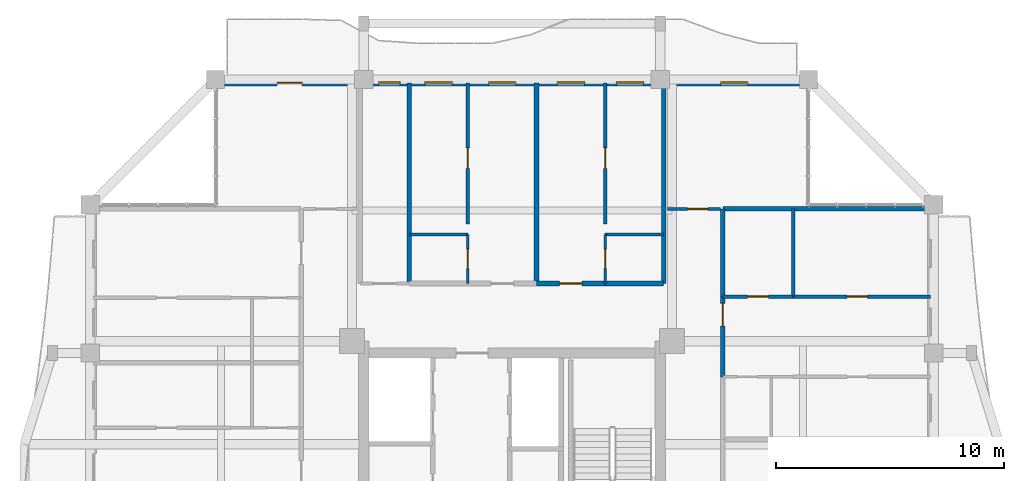
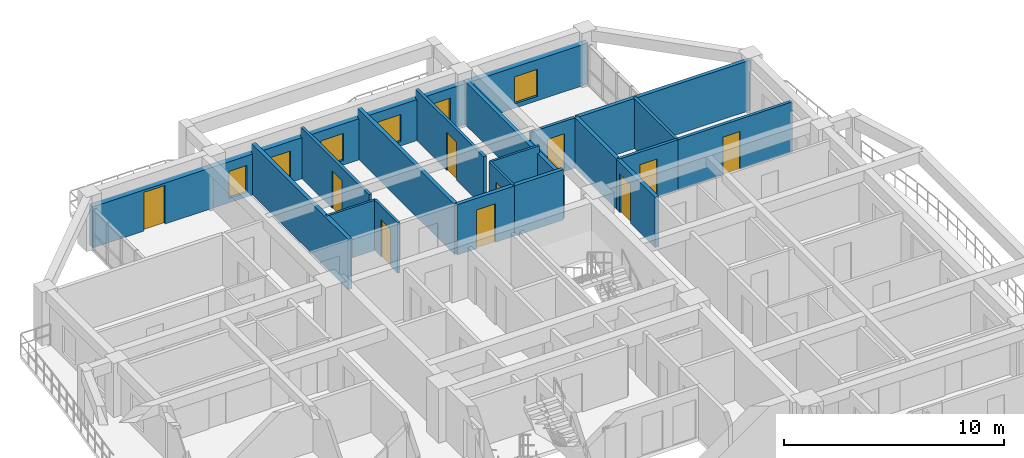
# One storey, part 15 of 22: 19 walls, 10 doors, 6 windows, 16 openings.
"""IFC4 building model written with IfcOpenShell, lengths in metres."""

from ifc_helpers import new_model, si_unit, direction, frame, frame_2d, origin, place, context, subcontext, project, spatial, rectangle, extrude, source, transform, mapped, material, layer, layer_set, type_object, element, fill, save


model = new_model("IFC4")

# Units and contexts
model_context = context("Model", 3, precision=1e-05, world=origin(), true_north=direction((0.0, 1.0)))
body_context = subcontext(model_context, "Body", "Model", "MODEL_VIEW")
ifc_project = project(units=[si_unit("LENGTHUNIT", "METRE"), si_unit("AREAUNIT", "SQUARE_METRE"), si_unit("VOLUMEUNIT", "CUBIC_METRE"), si_unit("PLANEANGLEUNIT", "RADIAN"), si_unit("MASSUNIT", "GRAM", prefix="KILO")], contexts=[model_context])

# Site, building, storey
site_placement = place(None, origin())
site = spatial("IfcSite", under=ifc_project, at=site_placement, CompositionType="ELEMENT")
building_placement = place(site_placement, origin())
building = spatial("IfcBuilding", under=site, at=building_placement, Name="Saelheon Loggia Tower", CompositionType="ELEMENT")
storey_placement = place(building_placement, frame((0.0, 0.0, 196.60009765625)))
storey = spatial("IfcBuildingStorey", under=building, at=storey_placement, Name="L61", CompositionType="ELEMENT", Elevation=196.60009765625)

# Wall, openings, windows, door
ifc_material_1 = material(Name="Architectural Precast Concrete C40/50", Category="concrete")
ifc_layer_1 = layer(ifc_material_1, 0.280029296875)
ifc_layer_set_1 = layer_set([ifc_layer_1], Name="Architectural Precast Concrete C40/50")
wall_type_1 = type_object("IfcWallType", Name="Wall_Ext_Loggia_280", PredefinedType="SOLIDWALL", material=ifc_layer_set_1)
wall_1_placement = place(storey_placement, frame((25.0, 47.860107421875, 0.0), z_axis=(0.0, 0.0, 1.0), x_axis=(1.0, 0.0, 0.0)))
wall_1 = element("IfcWall", 1, at=wall_1_placement, inside=storey, type_object=wall_type_1, Name="L61 North Loggia Inner Wall", PredefinedType="SOLIDWALL", context=body_context, shape_type="SweptSolid", body=[
    extrude(rectangle(XDim=26.0, YDim=0.280029296875, at=frame_2d((13.0, 0.0))), origin(), (0.0, 0.0, 1.0), 2.27978515625),
])
opening_1_placement = place(wall_1_placement, frame((2.699951171875, 0.0, 0.0)))
opening_1 = element("IfcOpeningElement", 2, at=opening_1_placement, cuts=wall_1, Name="Opening TD1", PredefinedType="OPENING", context=body_context, shape_type="SweptSolid", body=[
    extrude(rectangle(XDim=1.10009765625, YDim=2.14990234375, at=frame_2d((0.550048828125, 1.074951171875))), frame((0.0, 0.152099609375, 0.0), z_axis=(0.0, -1.0, 0.0), x_axis=(1.0, 0.0, 0.0)), (0.0, 0.0, 1.0), 0.303955078125),
])
opening_2_placement = place(wall_1_placement, frame((7.14501953125, 0.0, 0.25)))
opening_2 = element("IfcOpeningElement", 3, at=opening_2_placement, cuts=wall_1, Name="Opening WN-04", PredefinedType="OPENING", context=body_context, shape_type="SweptSolid", body=[
    extrude(rectangle(XDim=0.949951171875, YDim=1.5, at=frame_2d((0.47509765625, 0.75))), frame((0.0, 0.152099609375, 0.0), z_axis=(0.0, -1.0, 0.0), x_axis=(1.0, 0.0, 0.0)), (0.0, 0.0, 1.0), 0.303955078125),
])
opening_3_placement = place(wall_1_placement, frame((9.182373046875, 0.0, 0.25)))
opening_3 = element("IfcOpeningElement", 4, at=opening_3_placement, cuts=wall_1, Name="Opening WN-03", PredefinedType="OPENING", context=body_context, shape_type="SweptSolid", body=[
    extrude(rectangle(XDim=1.199951171875, YDim=1.5, at=frame_2d((0.60009765625, 0.75))), frame((0.0, 0.152099609375, 0.0), z_axis=(0.0, -1.0, 0.0), x_axis=(1.0, 0.0, 0.0)), (0.0, 0.0, 1.0), 0.303955078125),
])
opening_4_placement = place(wall_1_placement, frame((11.9697265625, 0.0, 0.25)))
opening_4 = element("IfcOpeningElement", 5, at=opening_4_placement, cuts=wall_1, Name="Opening WN-03", PredefinedType="OPENING", context=body_context, shape_type="SweptSolid", body=[
    extrude(rectangle(XDim=1.199951171875, YDim=1.5, at=frame_2d((0.60009765625, 0.75))), frame((0.0, 0.152099609375, 0.0), z_axis=(0.0, -1.0, 0.0), x_axis=(1.0, 0.0, 0.0)), (0.0, 0.0, 1.0), 0.303955078125),
])
opening_5_placement = place(wall_1_placement, frame((14.980224609375, 0.0, 0.25)))
opening_5 = element("IfcOpeningElement", 6, at=opening_5_placement, cuts=wall_1, Name="Opening WN-03", PredefinedType="OPENING", context=body_context, shape_type="SweptSolid", body=[
    extrude(rectangle(XDim=1.199951171875, YDim=1.5, at=frame_2d((0.60009765625, 0.75))), frame((0.0, 0.152099609375, 0.0), z_axis=(0.0, -1.0, 0.0), x_axis=(1.0, 0.0, 0.0)), (0.0, 0.0, 1.0), 0.303955078125),
])
opening_6_placement = place(wall_1_placement, frame((17.57275390625, 0.0, 0.25)))
opening_6 = element("IfcOpeningElement", 7, at=opening_6_placement, cuts=wall_1, Name="Opening WN-03", PredefinedType="OPENING", context=body_context, shape_type="SweptSolid", body=[
    extrude(rectangle(XDim=1.199951171875, YDim=1.5, at=frame_2d((0.60009765625, 0.75))), frame((0.0, 0.152099609375, 0.0), z_axis=(0.0, -1.0, 0.0), x_axis=(1.0, 0.0, 0.0)), (0.0, 0.0, 1.0), 0.303955078125),
])
opening_7_placement = place(wall_1_placement, frame((22.14990234375, 0.0, 0.25)))
opening_7 = element("IfcOpeningElement", 8, at=opening_7_placement, cuts=wall_1, Name="Opening WN-03", PredefinedType="OPENING", context=body_context, shape_type="SweptSolid", body=[
    extrude(rectangle(XDim=1.199951171875, YDim=1.5, at=frame_2d((0.60009765625, 0.75))), frame((0.0, 0.152099609375, 0.0), z_axis=(0.0, -1.0, 0.0), x_axis=(1.0, 0.0, 0.0)), (0.0, 0.0, 1.0), 0.303955078125),
])
ifc_material_2 = material(Name="Thermal-Break Aluminium and Triple Low-E Glass", Category="aluminium")
window_type_1 = type_object("IfcWindowType", Name="Win_Bedroom_1200x1500", PartitioningType="SINGLE_PANEL", PredefinedType="WINDOW", material=ifc_material_2)
shared_shape_1 = source(origin(), body_context, "Body", "SweptSolid", [
    extrude(rectangle(XDim=1.199951171875, YDim=1.5, at=frame_2d((0.60009765625, 0.75))), frame((0.0, 0.030029296875, 0.0), z_axis=(0.0, -1.0, 0.0), x_axis=(1.0, 0.0, 0.0)), (0.0, 0.0, 1.0), 0.06005859375),
])
window_1_placement = place(opening_3_placement, origin())
window_1 = element("IfcWindow", 9, at=window_1_placement, inside=storey, type_object=window_type_1, Name="L61 N Dwelling Window 3", OverallHeight=1.5, OverallWidth=1.199951171875, PartitioningType="SINGLE_PANEL", PredefinedType="WINDOW", context=body_context, shape_type="MappedRepresentation", body=[
    mapped(shared_shape_1, transform((0.0, 0.0, 0.0), scale=1.0)),
])
fill(opening_3, window_1)
window_2_placement = place(opening_4_placement, origin())
window_2 = element("IfcWindow", 10, at=window_2_placement, inside=storey, type_object=window_type_1, Name="L61 N Dwelling Window 4", OverallHeight=1.5, OverallWidth=1.199951171875, PartitioningType="SINGLE_PANEL", PredefinedType="WINDOW", context=body_context, shape_type="MappedRepresentation", body=[
    mapped(shared_shape_1, transform((0.0, 0.0, 0.0), scale=1.0)),
])
fill(opening_4, window_2)
window_3_placement = place(opening_5_placement, origin())
window_3 = element("IfcWindow", 11, at=window_3_placement, inside=storey, type_object=window_type_1, Name="L61 N Dwelling Window 5", OverallHeight=1.5, OverallWidth=1.199951171875, PartitioningType="SINGLE_PANEL", PredefinedType="WINDOW", context=body_context, shape_type="MappedRepresentation", body=[
    mapped(shared_shape_1, transform((0.0, 0.0, 0.0), scale=1.0)),
])
fill(opening_5, window_3)
window_4_placement = place(opening_6_placement, origin())
window_4 = element("IfcWindow", 12, at=window_4_placement, inside=storey, type_object=window_type_1, Name="L61 N Dwelling Window 6", OverallHeight=1.5, OverallWidth=1.199951171875, PartitioningType="SINGLE_PANEL", PredefinedType="WINDOW", context=body_context, shape_type="MappedRepresentation", body=[
    mapped(shared_shape_1, transform((0.0, 0.0, 0.0), scale=1.0)),
])
fill(opening_6, window_4)
window_5_placement = place(opening_7_placement, origin())
window_5 = element("IfcWindow", 13, at=window_5_placement, inside=storey, type_object=window_type_1, Name="L61 N Dwelling Window 7", OverallHeight=1.5, OverallWidth=1.199951171875, PartitioningType="SINGLE_PANEL", PredefinedType="WINDOW", context=body_context, shape_type="MappedRepresentation", body=[
    mapped(shared_shape_1, transform((0.0, 0.0, 0.0), scale=1.0)),
])
fill(opening_7, window_5)
ifc_material_3 = material(Name="Thermal-Break Aluminium Glazed Door", Category="aluminium")
door_type_1 = type_object("IfcDoorType", Name="Door_Terrace_TD1", OperationType="NOTDEFINED", PredefinedType="DOOR", material=ifc_material_3)
shared_shape_2 = source(origin(), body_context, "Body", "SweptSolid", [
    extrude(rectangle(XDim=1.10009765625, YDim=2.14990234375, at=frame_2d((0.550048828125, 1.074951171875))), frame((0.0, 0.02490234375, 0.0), z_axis=(0.0, -1.0, 0.0), x_axis=(1.0, 0.0, 0.0)), (0.0, 0.0, 1.0), 0.050048828125),
])
door_1_placement = place(opening_1_placement, origin())
door_1 = element("IfcDoor", 14, at=door_1_placement, inside=storey, type_object=door_type_1, Name="L61 N Loggia Access Door", OperationType="SINGLE_SWING_LEFT", OverallHeight=2.14990234375, OverallWidth=1.10009765625, PredefinedType="DOOR", context=body_context, shape_type="MappedRepresentation", body=[
    mapped(shared_shape_2, transform((0.0, 0.0, 0.0), scale=1.0)),
])
fill(opening_1, door_1)
window_type_2 = type_object("IfcWindowType", Name="Win_Narrow_950x1500", PartitioningType="SINGLE_PANEL", PredefinedType="WINDOW", material=ifc_material_2)
shared_shape_3 = source(origin(), body_context, "Body", "SweptSolid", [
    extrude(rectangle(XDim=0.949951171875, YDim=1.5, at=frame_2d((0.47509765625, 0.75))), frame((0.0, 0.030029296875, 0.0), z_axis=(0.0, -1.0, 0.0), x_axis=(1.0, 0.0, 0.0)), (0.0, 0.0, 1.0), 0.06005859375),
])
window_6_placement = place(opening_2_placement, origin())
window_6 = element("IfcWindow", 15, at=window_6_placement, inside=storey, type_object=window_type_2, Name="L61 N Dwelling Window 2", OverallHeight=1.5, OverallWidth=0.949951171875, PartitioningType="SINGLE_PANEL", PredefinedType="WINDOW", context=body_context, shape_type="MappedRepresentation", body=[
    mapped(shared_shape_3, transform((0.0, 0.0, 0.0), scale=1.0)),
])
fill(opening_2, window_6)

# Wall, opening, door
ifc_material_4 = material(Name="Lightweight Autoclaved Aerated Concrete Block and Acoustic Gypsum", Category="concrete")
ifc_layer_2 = layer(ifc_material_4, 0.14990234375)
ifc_layer_set_2 = layer_set([ifc_layer_2], Name="Lightweight Autoclaved Aerated Concrete Block and Acoustic Gypsum")
wall_type_2 = type_object("IfcWallType", Name="Wall_Part_150", PredefinedType="PARTITIONING", material=ifc_layer_set_2)
wall_2_placement = place(storey_placement, frame((44.820068359375, 42.320068359375, 0.0), z_axis=(0.0, 0.0, 1.0), x_axis=(1.0, 0.0, 0.0)))
wall_2 = element("IfcWall", 16, at=wall_2_placement, inside=storey, type_object=wall_type_2, Name="PW-L61-CNE-H", PredefinedType="PARTITIONING", context=body_context, shape_type="SweptSolid", body=[
    extrude(rectangle(XDim=2.329833984375, YDim=0.14990234375, at=frame_2d((1.1650390625, 0.0))), origin(), (0.0, 0.0, 1.0), 2.789794921875),
])
opening_8_placement = place(wall_2_placement, frame((0.8798828125, 0.0, 0.0)))
opening_8 = element("IfcOpeningElement", 17, at=opening_8_placement, cuts=wall_2, Name="Opening D-IN2", PredefinedType="OPENING", context=body_context, shape_type="SweptSolid", body=[
    extrude(rectangle(XDim=0.89990234375, YDim=2.10009765625, at=frame_2d((0.449951171875, 1.050048828125))), frame((0.0, 0.0869140625, 0.0), z_axis=(0.0, -1.0, 0.0), x_axis=(1.0, 0.0, 0.0)), (0.0, 0.0, 1.0), 0.173828125),
])
ifc_material_5 = material(Name="Engineered Oak Flush Door", Category="timber")
door_type_2 = type_object("IfcDoorType", Name="Door_Int_900", OperationType="NOTDEFINED", PredefinedType="DOOR", material=ifc_material_5)
shared_shape_4 = source(origin(), body_context, "Body", "SweptSolid", [
    extrude(rectangle(XDim=0.89990234375, YDim=2.10009765625, at=frame_2d((0.449951171875, 1.050048828125))), frame((0.0, 0.02490234375, 0.0), z_axis=(0.0, -1.0, 0.0), x_axis=(1.0, 0.0, 0.0)), (0.0, 0.0, 1.0), 0.050048828125),
])
door_2_placement = place(opening_8_placement, origin())
door_2 = element("IfcDoor", 18, at=door_2_placement, inside=storey, type_object=door_type_2, Name="L61 Corner Reading Room NE Door", OperationType="SINGLE_SWING_LEFT", OverallHeight=2.10009765625, OverallWidth=0.89990234375, PredefinedType="DOOR", context=body_context, shape_type="MappedRepresentation", body=[
    mapped(shared_shape_4, transform((0.0, 0.0, 0.0), scale=1.0)),
])
fill(opening_8, door_2)

wall_3_placement = place(storey_placement, frame((36.064453125, 41.64990234375, 0.0), z_axis=(0.0, 0.0, 1.0), x_axis=(0.0, 1.0, 0.0)))
wall_3 = element("IfcWall", 19, at=wall_3_placement, inside=storey, type_object=wall_type_2, Name="L61 N Partition U09", PredefinedType="PARTITIONING", context=body_context, shape_type="SweptSolid", body=[
    extrude(rectangle(XDim=6.2001953125, YDim=0.14990234375, at=frame_2d((3.10009765625, 0.0))), origin(), (0.0, 0.0, 1.0), 2.789794921875),
])
opening_9_placement = place(wall_3_placement, frame((2.44921875, 0.0, 0.0)))
opening_9 = element("IfcOpeningElement", 20, at=opening_9_placement, cuts=wall_3, Name="Opening D-IN2", PredefinedType="OPENING", context=body_context, shape_type="SweptSolid", body=[
    extrude(rectangle(XDim=0.89990234375, YDim=2.10009765625, at=frame_2d((0.449951171875, 1.050048828125))), frame((0.0, 0.0869140625, 0.0), z_axis=(0.0, -1.0, 0.0), x_axis=(1.0, 0.0, 0.0)), (0.0, 0.0, 1.0), 0.173828125),
])
door_3_placement = place(opening_9_placement, origin())
door_3 = element("IfcDoor", 21, at=door_3_placement, inside=storey, type_object=door_type_2, Name="Unit U03 Kitchen Door", OperationType="SINGLE_SWING_LEFT", OverallHeight=2.10009765625, OverallWidth=0.89990234375, PredefinedType="DOOR", context=body_context, shape_type="MappedRepresentation", body=[
    mapped(shared_shape_4, transform((0.0, 0.0, 0.0), scale=1.0)),
])
fill(opening_9, door_3)

wall_4_placement = place(storey_placement, frame((42.08544921875, 41.64990234375, 0.0), z_axis=(0.0, 0.0, 1.0), x_axis=(0.0, 1.0, 0.0)))
wall_4 = element("IfcWall", 22, at=wall_4_placement, inside=storey, type_object=wall_type_2, Name="L61 N Partition U15", PredefinedType="PARTITIONING", context=body_context, shape_type="SweptSolid", body=[
    extrude(rectangle(XDim=6.2001953125, YDim=0.14990234375, at=frame_2d((3.10009765625, 0.0))), origin(), (0.0, 0.0, 1.0), 2.789794921875),
])
opening_10_placement = place(wall_4_placement, frame((2.44921875, 0.0, 0.0)))
opening_10 = element("IfcOpeningElement", 23, at=opening_10_placement, cuts=wall_4, Name="Opening D-IN2", PredefinedType="OPENING", context=body_context, shape_type="SweptSolid", body=[
    extrude(rectangle(XDim=0.89990234375, YDim=2.10009765625, at=frame_2d((0.449951171875, 1.050048828125))), frame((0.0, 0.0869140625, 0.0), z_axis=(0.0, -1.0, 0.0), x_axis=(1.0, 0.0, 0.0)), (0.0, 0.0, 1.0), 0.173828125),
])
door_4_placement = place(opening_10_placement, origin())
door_4 = element("IfcDoor", 24, at=door_4_placement, inside=storey, type_object=door_type_2, Name="Unit U04 Kitchen Door", OperationType="SINGLE_SWING_RIGHT", OverallHeight=2.10009765625, OverallWidth=0.89990234375, PredefinedType="DOOR", context=body_context, shape_type="MappedRepresentation", body=[
    mapped(shared_shape_4, transform((0.0, 0.0, 0.0), scale=1.0)),
])
fill(opening_10, door_4)

# Wall
wall_5_placement = place(storey_placement, frame((50.330078125, 38.477783203125, 0.0), z_axis=(0.0, 0.0, 1.0), x_axis=(0.0, 1.0, 0.0)))
element("IfcWall", 25, at=wall_5_placement, inside=storey, type_object=wall_type_2, Name="L61 E Partition V29", PredefinedType="PARTITIONING", context=body_context, shape_type="SweptSolid", body=[
    extrude(rectangle(XDim=3.84228515625, YDim=0.14990234375, at=frame_2d((1.921142578125, 0.0))), origin(), (0.0, 0.0, 1.0), 2.789794921875),
])

# Wall, opening, door
wall_6_placement = place(storey_placement, frame((47.25, 38.477783203125, 0.0), z_axis=(0.0, 0.0, 1.0), x_axis=(1.0, 0.0, 0.0)))
wall_6 = element("IfcWall", 26, at=wall_6_placement, inside=storey, type_object=wall_type_2, Name="L61 E Partition U33", PredefinedType="PARTITIONING", context=body_context, shape_type="SweptSolid", body=[
    extrude(rectangle(XDim=3.080078125, YDim=0.14990234375, at=frame_2d((1.5400390625, 0.0))), origin(), (0.0, 0.0, 1.0), 2.789794921875),
])
opening_11_placement = place(wall_6_placement, frame((1.090087890625, 0.0, 0.0)))
opening_11 = element("IfcOpeningElement", 27, at=opening_11_placement, cuts=wall_6, Name="Opening D-IN2", PredefinedType="OPENING", context=body_context, shape_type="SweptSolid", body=[
    extrude(rectangle(XDim=0.89990234375, YDim=2.10009765625, at=frame_2d((0.449951171875, 1.050048828125))), frame((0.0, 0.0869140625, 0.0), z_axis=(0.0, -1.0, 0.0), x_axis=(1.0, 0.0, 0.0)), (0.0, 0.0, 1.0), 0.173828125),
])
door_5_placement = place(opening_11_placement, origin())
door_5 = element("IfcDoor", 28, at=door_5_placement, inside=storey, type_object=door_type_2, Name="Unit U11 Home Office Door", OperationType="SINGLE_SWING_RIGHT", OverallHeight=2.10009765625, OverallWidth=0.89990234375, PredefinedType="DOOR", context=body_context, shape_type="MappedRepresentation", body=[
    mapped(shared_shape_4, transform((0.0, 0.0, 0.0), scale=1.0)),
])
fill(opening_11, door_5)

wall_7_placement = place(storey_placement, frame((50.330078125, 38.477783203125, 0.0), z_axis=(0.0, 0.0, 1.0), x_axis=(1.0, 0.0, 0.0)))
wall_7 = element("IfcWall", 29, at=wall_7_placement, inside=storey, type_object=wall_type_2, Name="L61 E Partition U34", PredefinedType="PARTITIONING", context=body_context, shape_type="SweptSolid", body=[
    extrude(rectangle(XDim=6.02001953125, YDim=0.14990234375, at=frame_2d((3.010009765625, 0.0))), origin(), (0.0, 0.0, 1.0), 2.789794921875),
])
opening_12_placement = place(wall_7_placement, frame((2.36669921875, 0.0, 0.0)))
opening_12 = element("IfcOpeningElement", 30, at=opening_12_placement, cuts=wall_7, Name="Opening D-IN2", PredefinedType="OPENING", context=body_context, shape_type="SweptSolid", body=[
    extrude(rectangle(XDim=0.89990234375, YDim=2.10009765625, at=frame_2d((0.449951171875, 1.050048828125))), frame((0.0, 0.0869140625, 0.0), z_axis=(0.0, -1.0, 0.0), x_axis=(1.0, 0.0, 0.0)), (0.0, 0.0, 1.0), 0.173828125),
])
door_6_placement = place(opening_12_placement, origin())
door_6 = element("IfcDoor", 31, at=door_6_placement, inside=storey, type_object=door_type_2, Name="Unit U11 Bedroom 1 Door", OperationType="SINGLE_SWING_LEFT", OverallHeight=2.10009765625, OverallWidth=0.89990234375, PredefinedType="DOOR", context=body_context, shape_type="MappedRepresentation", body=[
    mapped(shared_shape_4, transform((0.0, 0.0, 0.0), scale=1.0)),
])
fill(opening_12, door_6)

# Walls
ifc_material_6 = material(Name="Double Acoustic Stud and Fireboard Partition", Category="gypsum")
ifc_layer_3 = layer(ifc_material_6, 0.199951171875)
ifc_layer_set_3 = layer_set([ifc_layer_3], Name="Double Acoustic Stud and Fireboard Partition")
wall_type_3 = type_object("IfcWallType", Name="Wall_Party_200", PredefinedType="PARTITIONING", material=ifc_layer_set_3)
wall_8_placement = place(storey_placement, frame((44.64990234375, 39.050048828125, 0.0), z_axis=(0.0, 0.0, 1.0), x_axis=(0.0, 1.0, 0.0)))
element("IfcWall", 32, at=wall_8_placement, inside=storey, type_object=wall_type_3, Name="L61 N Partition U02", PredefinedType="PARTITIONING", context=body_context, shape_type="SweptSolid", body=[
    extrude(rectangle(XDim=8.800048828125, YDim=0.199951171875, at=frame_2d((4.39990234375, 0.0))), origin(), (0.0, 0.0, 1.0), 2.389892578125),
])
for number, where, z_axis, x_axis, name in (
    (33, (33.5, 39.050048828125, 0.0), (0.0, 0.0, 1.0), (0.0, 1.0, 0.0), "L61 N Partition U03"),
    (34, (39.074951171875, 39.050048828125, 0.0), (0.0, 0.0, 1.0), (0.0, 1.0, 0.0), "L61 N Partition U10"),
):
    element("IfcWall", number, at=place(storey_placement, frame(where, z_axis=z_axis, x_axis=x_axis)), inside=storey, type_object=wall_type_3, Name=name, PredefinedType="PARTITIONING", context=body_context, shape_type="SweptSolid", body=[
        extrude(rectangle(XDim=8.800048828125, YDim=0.199951171875, at=frame_2d((4.39990234375, 0.0))), origin(), (0.0, 0.0, 1.0), 2.789794921875),
    ])

# Wall, opening, door
wall_9_placement = place(storey_placement, frame((39.074951171875, 39.050048828125, 0.0), z_axis=(0.0, 0.0, 1.0), x_axis=(1.0, 0.0, 0.0)))
wall_9 = element("IfcWall", 35, at=wall_9_placement, inside=storey, type_object=wall_type_3, Name="L61 N Partition V11", PredefinedType="PARTITIONING", context=body_context, shape_type="SweptSolid", body=[
    extrude(rectangle(XDim=3.010498046875, YDim=0.199951171875, at=frame_2d((1.50537109375, 0.0))), origin(), (0.0, 0.0, 1.0), 2.789794921875),
])
opening_13_placement = place(wall_9_placement, frame((1.00537109375, 0.0, 0.0)))
opening_13 = element("IfcOpeningElement", 36, at=opening_13_placement, cuts=wall_9, Name="Opening D-FD1", PredefinedType="OPENING", context=body_context, shape_type="SweptSolid", body=[
    extrude(rectangle(XDim=1.0, YDim=2.14990234375, at=frame_2d((0.5, 1.074951171875))), frame((0.0, 0.112060546875, 0.0), z_axis=(0.0, -1.0, 0.0), x_axis=(1.0, 0.0, 0.0)), (0.0, 0.0, 1.0), 0.223876953125),
])
ifc_material_7 = material(Name="Fire-Rated Engineered Timber Entrance Door", Category="wood")
door_type_3 = type_object("IfcDoorType", Name="Door_Flat_FD30S", OperationType="NOTDEFINED", PredefinedType="DOOR", material=ifc_material_7)
shared_shape_5 = source(origin(), body_context, "Body", "SweptSolid", [
    extrude(rectangle(XDim=1.0, YDim=2.14990234375, at=frame_2d((0.5, 1.074951171875))), frame((0.0, 0.02490234375, 0.0), z_axis=(0.0, -1.0, 0.0), x_axis=(1.0, 0.0, 0.0)), (0.0, 0.0, 1.0), 0.050048828125),
])
door_7_placement = place(opening_13_placement, origin())
door_7 = element("IfcDoor", 37, at=door_7_placement, inside=storey, type_object=door_type_3, Name="Unit U04 Entrance Door", OperationType="SINGLE_SWING_RIGHT", OverallHeight=2.14990234375, OverallWidth=1.0, PredefinedType="DOOR", context=body_context, shape_type="MappedRepresentation", body=[
    mapped(shared_shape_5, transform((0.0, 0.0, 0.0), scale=1.0)),
])
fill(opening_13, door_7)

# Walls
wall_10_placement = place(storey_placement, frame((42.08544921875, 39.050048828125, 0.0), z_axis=(0.0, 0.0, 1.0), x_axis=(1.0, 0.0, 0.0)))
element("IfcWall", 38, at=wall_10_placement, inside=storey, type_object=wall_type_3, Name="L61 N Partition V12", PredefinedType="PARTITIONING", context=body_context, shape_type="SweptSolid", body=[
    extrude(rectangle(XDim=2.564453125, YDim=0.199951171875, at=frame_2d((1.2822265625, 0.0))), origin(), (0.0, 0.0, 1.0), 2.789794921875),
])
wall_11_placement = place(storey_placement, frame((47.25, 42.320068359375, 0.0), z_axis=(0.0, 0.0, 1.0), x_axis=(1.0, 0.0, 0.0)))
element("IfcWall", 39, at=wall_11_placement, inside=storey, type_object=wall_type_3, Name="L61 E Partition U02", PredefinedType="PARTITIONING", context=body_context, shape_type="SweptSolid", body=[
    extrude(rectangle(XDim=9.10009765625, YDim=0.199951171875, at=frame_2d((4.550048828125, 0.0))), origin(), (0.0, 0.0, 1.0), 2.789794921875),
])

# Wall, opening, door
wall_12_placement = place(storey_placement, frame((47.25, 34.958740234375, 0.0), z_axis=(0.0, 0.0, 1.0), x_axis=(0.0, 1.0, 0.0)))
wall_12 = element("IfcWall", 40, at=wall_12_placement, inside=storey, type_object=wall_type_3, Name="L61 E Partition V26", PredefinedType="PARTITIONING", context=body_context, shape_type="SweptSolid", body=[
    extrude(rectangle(XDim=3.51904296875, YDim=0.199951171875, at=frame_2d((1.759521484375, 0.0))), origin(), (0.0, 0.0, 1.0), 2.789794921875),
])
opening_14_placement = place(wall_12_placement, frame((2.21728515625, 0.0, 0.0)))
opening_14 = element("IfcOpeningElement", 41, at=opening_14_placement, cuts=wall_12, Name="Opening D-FD1", PredefinedType="OPENING", context=body_context, shape_type="SweptSolid", body=[
    extrude(rectangle(XDim=1.0, YDim=2.14990234375, at=frame_2d((0.5, 1.074951171875))), frame((0.0, 0.112060546875, 0.0), z_axis=(0.0, -1.0, 0.0), x_axis=(1.0, 0.0, 0.0)), (0.0, 0.0, 1.0), 0.223876953125),
])
door_8_placement = place(opening_14_placement, origin())
door_8 = element("IfcDoor", 42, at=door_8_placement, inside=storey, type_object=door_type_3, Name="Unit U11 Entrance Door", OperationType="SINGLE_SWING_LEFT", OverallHeight=2.14990234375, OverallWidth=1.0, PredefinedType="DOOR", context=body_context, shape_type="MappedRepresentation", body=[
    mapped(shared_shape_5, transform((0.0, 0.0, 0.0), scale=1.0)),
])
fill(opening_14, door_8)

# Wall
wall_13_placement = place(storey_placement, frame((47.25, 38.477783203125, 0.0), z_axis=(0.0, 0.0, 1.0), x_axis=(0.0, 1.0, 0.0)))
element("IfcWall", 43, at=wall_13_placement, inside=storey, type_object=wall_type_3, Name="L61 E Partition V27", PredefinedType="PARTITIONING", context=body_context, shape_type="SweptSolid", body=[
    extrude(rectangle(XDim=3.84228515625, YDim=0.199951171875, at=frame_2d((1.921142578125, 0.0))), origin(), (0.0, 0.0, 1.0), 2.789794921875),
])

# Wall, opening, door
ifc_material_8 = material(Name="Moisture-Resistant Cement Board Partition", Category="gypsum")
ifc_layer_4 = layer(ifc_material_8, 0.1201171875)
ifc_layer_set_4 = layer_set([ifc_layer_4], Name="Moisture-Resistant Cement Board Partition")
wall_type_4 = type_object("IfcWallType", Name="Wall_WetPart_120", PredefinedType="PARTITIONING", material=ifc_layer_set_4)
wall_14_placement = place(storey_placement, frame((36.064453125, 39.050048828125, 0.0), z_axis=(0.0, 0.0, 1.0), x_axis=(0.0, 1.0, 0.0)))
wall_14 = element("IfcWall", 44, at=wall_14_placement, inside=storey, type_object=wall_type_4, Name="L61 N Partition U07", PredefinedType="PARTITIONING", context=body_context, shape_type="SweptSolid", body=[
    extrude(rectangle(XDim=2.14990234375, YDim=0.1201171875, at=frame_2d((1.074951171875, 0.0))), origin(), (0.0, 0.0, 1.0), 2.789794921875),
])
opening_15_placement = place(wall_14_placement, frame((0.64990234375, 0.0, 0.0)))
opening_15 = element("IfcOpeningElement", 45, at=opening_15_placement, cuts=wall_14, Name="Opening D-BT1", PredefinedType="OPENING", context=body_context, shape_type="SweptSolid", body=[
    extrude(rectangle(XDim=0.85009765625, YDim=2.050048828125, at=frame_2d((0.425048828125, 1.02490234375))), frame((0.0, 0.072021484375, 0.0), z_axis=(0.0, -1.0, 0.0), x_axis=(1.0, 0.0, 0.0)), (0.0, 0.0, 1.0), 0.14404296875),
])
ifc_material_9 = material(Name="Moisture-Resistant Laminate Timber Door", Category="wood")
door_type_4 = type_object("IfcDoorType", Name="Door_Bath_850", OperationType="NOTDEFINED", PredefinedType="DOOR", material=ifc_material_9)
shared_shape_6 = source(origin(), body_context, "Body", "SweptSolid", [
    extrude(rectangle(XDim=0.85009765625, YDim=2.050048828125, at=frame_2d((0.425048828125, 1.02490234375))), frame((0.0, 0.02490234375, 0.0), z_axis=(0.0, -1.0, 0.0), x_axis=(1.0, 0.0, 0.0)), (0.0, 0.0, 1.0), 0.050048828125),
])
door_9_placement = place(opening_15_placement, origin())
door_9 = element("IfcDoor", 46, at=door_9_placement, inside=storey, type_object=door_type_4, Name="Unit U03 Bathroom Door", OperationType="SINGLE_SWING_RIGHT", OverallHeight=2.050048828125, OverallWidth=0.85009765625, PredefinedType="DOOR", context=body_context, shape_type="MappedRepresentation", body=[
    mapped(shared_shape_6, transform((0.0, 0.0, 0.0), scale=1.0)),
])
fill(opening_15, door_9)

# Wall
wall_15_placement = place(storey_placement, frame((33.5, 41.199951171875, 0.0), z_axis=(0.0, 0.0, 1.0), x_axis=(1.0, 0.0, 0.0)))
element("IfcWall", 47, at=wall_15_placement, inside=storey, type_object=wall_type_4, Name="L61 N Partition V08", PredefinedType="PARTITIONING", context=body_context, shape_type="SweptSolid", body=[
    extrude(rectangle(XDim=2.564453125, YDim=0.1201171875, at=frame_2d((1.2822265625, 0.0))), origin(), (0.0, 0.0, 1.0), 2.789794921875),
])

# Wall, opening, door
wall_16_placement = place(storey_placement, frame((42.08544921875, 39.050048828125, 0.0), z_axis=(0.0, 0.0, 1.0), x_axis=(0.0, 1.0, 0.0)))
wall_16 = element("IfcWall", 48, at=wall_16_placement, inside=storey, type_object=wall_type_4, Name="L61 N Partition U13", PredefinedType="PARTITIONING", context=body_context, shape_type="SweptSolid", body=[
    extrude(rectangle(XDim=2.14990234375, YDim=0.1201171875, at=frame_2d((1.074951171875, 0.0))), origin(), (0.0, 0.0, 1.0), 2.789794921875),
])
opening_16_placement = place(wall_16_placement, frame((0.64990234375, 0.0, 0.0)))
opening_16 = element("IfcOpeningElement", 49, at=opening_16_placement, cuts=wall_16, Name="Opening D-BT1", PredefinedType="OPENING", context=body_context, shape_type="SweptSolid", body=[
    extrude(rectangle(XDim=0.85009765625, YDim=2.050048828125, at=frame_2d((0.425048828125, 1.02490234375))), frame((0.0, 0.072021484375, 0.0), z_axis=(0.0, -1.0, 0.0), x_axis=(1.0, 0.0, 0.0)), (0.0, 0.0, 1.0), 0.14404296875),
])
door_10_placement = place(opening_16_placement, origin())
door_10 = element("IfcDoor", 50, at=door_10_placement, inside=storey, type_object=door_type_4, Name="Unit U04 Bathroom Door", OperationType="SINGLE_SWING_LEFT", OverallHeight=2.050048828125, OverallWidth=0.85009765625, PredefinedType="DOOR", context=body_context, shape_type="MappedRepresentation", body=[
    mapped(shared_shape_6, transform((0.0, 0.0, 0.0), scale=1.0)),
])
fill(opening_16, door_10)

# Wall
wall_17_placement = place(storey_placement, frame((42.08544921875, 41.199951171875, 0.0), z_axis=(0.0, 0.0, 1.0), x_axis=(1.0, 0.0, 0.0)))
element("IfcWall", 51, at=wall_17_placement, inside=storey, type_object=wall_type_4, Name="L61 N Partition V14", PredefinedType="PARTITIONING", context=body_context, shape_type="SweptSolid", body=[
    extrude(rectangle(XDim=2.564453125, YDim=0.1201171875, at=frame_2d((1.2822265625, 0.0))), origin(), (0.0, 0.0, 1.0), 2.789794921875),
])

save(model, "model.ifc")
